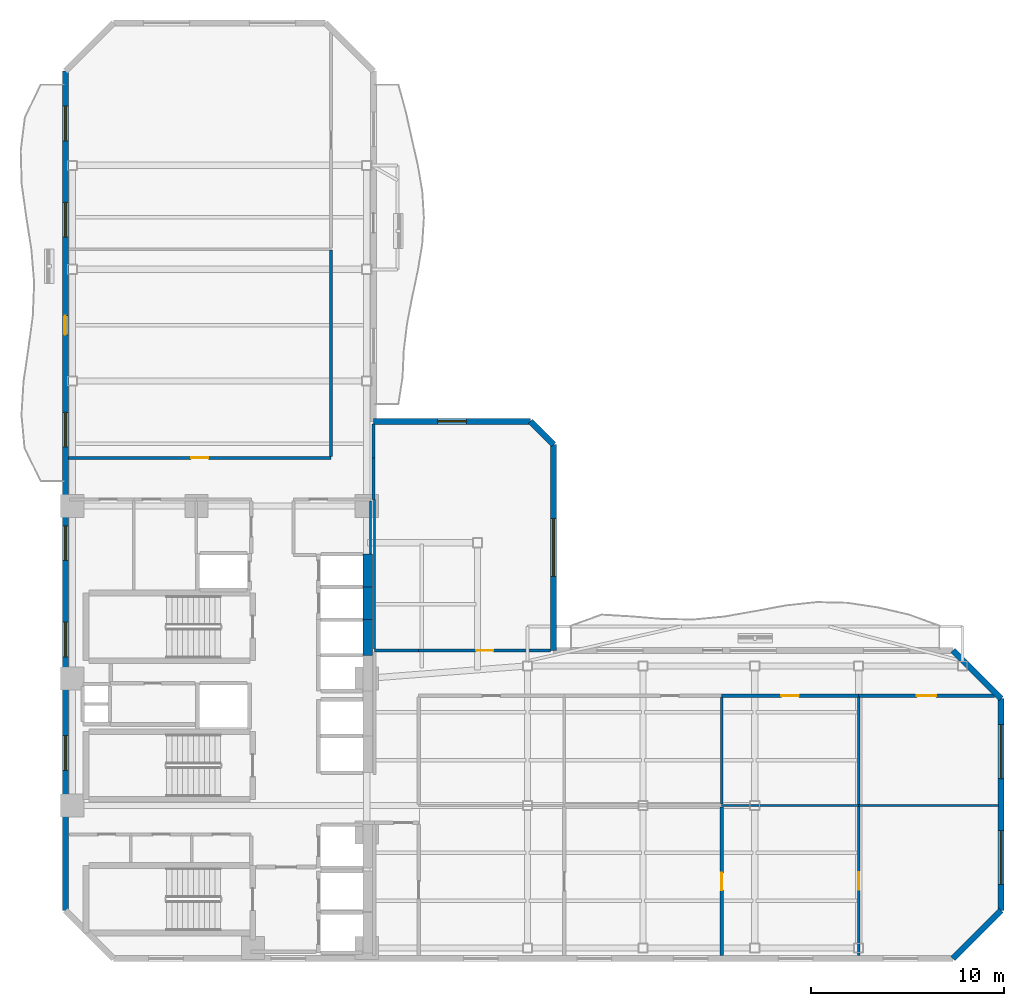
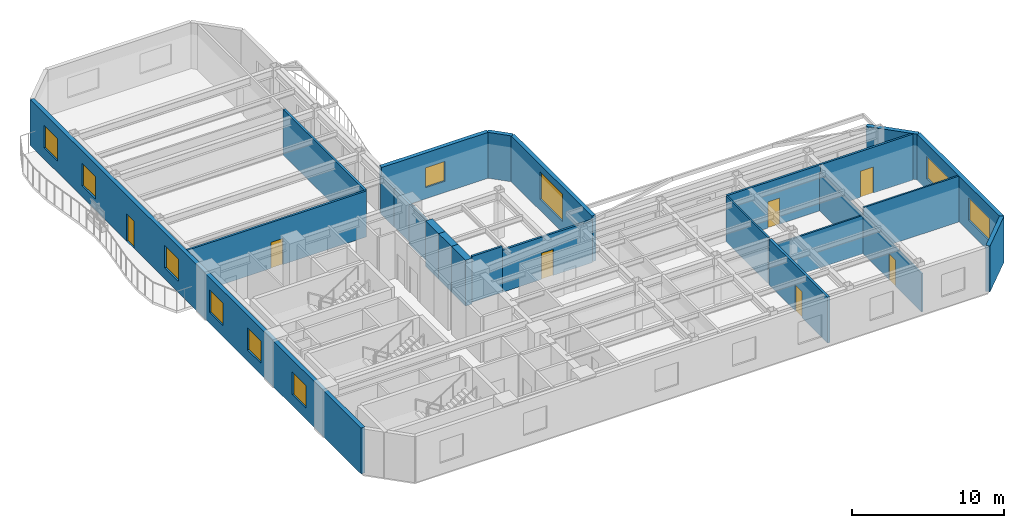
# One storey, part 5 of 9: 26 walls, 10 windows, 7 doors, 17 openings.
"""IFC4 building model written with IfcOpenShell, lengths in metres."""

from ifc_helpers import new_model, si_unit, direction, frame, frame_2d, origin, place, context, subcontext, project, spatial, rectangle, extrude, material, layer, layer_set, type_object, element, fill, save


model = new_model("IFC4")

# Units and contexts
model_context = context("Model", 3, precision=1e-05, world=origin(), true_north=direction((0.0, 1.0)))
body_context = subcontext(model_context, "Body", "Model", "MODEL_VIEW")
ifc_project = project(units=[si_unit("LENGTHUNIT", "METRE"), si_unit("AREAUNIT", "SQUARE_METRE"), si_unit("VOLUMEUNIT", "CUBIC_METRE"), si_unit("PLANEANGLEUNIT", "RADIAN"), si_unit("MASSUNIT", "GRAM", prefix="KILO")], contexts=[model_context])

# Site, building, storey
site_placement = place(None, origin())
site = spatial("IfcSite", under=ifc_project, at=site_placement, CompositionType="ELEMENT")
building_placement = place(site_placement, origin())
building = spatial("IfcBuilding", under=site, at=building_placement, Name="Mawjaban Terraces University", CompositionType="ELEMENT")
storey_placement = place(building_placement, frame((0.0, 0.0, 126.800048828125)))
storey = spatial("IfcBuildingStorey", under=building, at=storey_placement, Name="L30", CompositionType="ELEMENT", Elevation=126.800048828125)

# Wall, opening, door
ifc_material_1 = material(Name="Acoustic masonry blockwork", Category="masonry")
ifc_layer_1 = layer(ifc_material_1, 0.179931640625)
ifc_layer_set_1 = layer_set([ifc_layer_1], Name="Acoustic masonry blockwork")
wall_type_1 = type_object("IfcWallType", Name="AcousticStudioWall_180", PredefinedType="PARTITIONING", material=ifc_layer_set_1)
wall_1_placement = place(storey_placement, frame((56.080078125, 0.14501953125, 0.0), z_axis=(0.0, 0.0, 1.0), x_axis=(0.0, 1.0, 0.0)))
wall_1 = element("IfcWall", 1, at=wall_1_placement, inside=storey, type_object=wall_type_1, Name="L30 Media Workshop 4 Partition 46", PredefinedType="PARTITIONING", context=body_context, shape_type="SweptSolid", body=[
    extrude(rectangle(XDim=7.719970703125, YDim=0.179931640625, at=frame_2d((3.85986328125, 0.0))), origin(), (0.0, 0.0, 1.0), 3.68994140625),
])
opening_1_placement = place(wall_1_placement, frame((3.409912109375, 0.0, 0.0)))
opening_1 = element("IfcOpeningElement", 2, at=opening_1_placement, cuts=wall_1, Name="Opening ID-090", PredefinedType="OPENING", context=body_context, shape_type="SweptSolid", body=[
    extrude(rectangle(XDim=0.89990234375, YDim=2.10009765625, at=frame_2d((0.449951171875, 1.050048828125))), frame((0.0, 0.099853515625, 0.0), z_axis=(0.0, -1.0, 0.0), x_axis=(1.0, 0.0, 0.0)), (0.0, 0.0, 1.0), 0.199951171875),
])
ifc_material_2 = material(Name="Powder-coated steel frame and solid acoustic timber leaf", Category="steel")
door_type_1 = type_object("IfcDoorType", Name="OfficeDoor_900x2100", OperationType="NOTDEFINED", PredefinedType="DOOR", material=ifc_material_2)
door_1_placement = place(opening_1_placement, origin())
door_1 = element("IfcDoor", 3, at=door_1_placement, inside=storey, type_object=door_type_1, Name="L30 Reading Salon 6 Door", OperationType="SINGLE_SWING_RIGHT", OverallHeight=2.10009765625, OverallWidth=0.89990234375, PredefinedType="DOOR", context=body_context, shape_type="SweptSolid", body=[
    extrude(rectangle(XDim=0.89990234375, YDim=2.10009765625, at=frame_2d((0.449951171875, 1.050048828125))), frame((0.0, 0.02490234375, 0.0), z_axis=(0.0, -1.0, 0.0), x_axis=(1.0, 0.0, 0.0)), (0.0, 0.0, 1.0), 0.050048828125),
])
fill(opening_1, door_1)

# Walls
ifc_material_3 = material(Name="Concrete C60/75", Category="concrete")
ifc_layer_2 = layer(ifc_material_3, 0.5)
ifc_layer_set_2 = layer_set([ifc_layer_2], Name="Concrete C60/75")
wall_type_2 = type_object("IfcWallType", Name="CoreShearWall_500", PredefinedType="SHEAR", material=ifc_layer_set_2)
wall_2_placement = place(storey_placement, frame((37.699951171875, 15.75, 0.0), z_axis=(0.0, 0.0, 1.0), x_axis=(0.0, 1.0, 0.0)))
element("IfcWall", 4, at=wall_2_placement, inside=storey, type_object=wall_type_2, Name="L30 Lift OL-2 Hoistway Wall East", PredefinedType="SHEAR", context=body_context, shape_type="SweptSolid", body=[
    extrude(rectangle(XDim=1.85009765625, YDim=0.5, at=frame_2d((0.925048828125, 0.0))), origin(), (0.0, 0.0, 1.0), 3.68994140625),
])
for number, where, z_axis, x_axis, name in (
    (5, (37.699951171875, 17.60009765625, 0.0), (0.0, 0.0, 1.0), (0.0, 1.0, 0.0), "L30 Lift PL-M1 Hoistway Wall East"),
    (6, (37.699951171875, 19.300048828125, 0.0), (0.0, 0.0, 1.0), (0.0, 1.0, 0.0), "L30 Lift PL-M2 Hoistway Wall East"),
):
    element("IfcWall", number, at=place(storey_placement, frame(where, z_axis=z_axis, x_axis=x_axis)), inside=storey, type_object=wall_type_2, Name=name, PredefinedType="SHEAR", context=body_context, shape_type="SweptSolid", body=[
        extrude(rectangle(XDim=1.699951171875, YDim=0.5, at=frame_2d((0.85009765625, 0.0))), origin(), (0.0, 0.0, 1.0), 3.68994140625),
    ])

# Wall, opening, door
ifc_material_4 = material(Name="Fire-rated gypsum board on steel stud", Category="steel")
ifc_layer_3 = layer(ifc_material_4, 0.159912109375)
ifc_layer_set_3 = layer_set([ifc_layer_3], Name="Fire-rated gypsum board on steel stud")
wall_type_3 = type_object("IfcWallType", Name="CorridorPartition_160", PredefinedType="PARTITIONING", material=ifc_layer_set_3)
wall_3_placement = place(storey_placement, frame((35.800048828125, 26.0, 0.0), z_axis=(0.0, 0.0, 1.0), x_axis=(-1.0, 0.0, 0.0)))
wall_3 = element("IfcWall", 7, at=wall_3_placement, inside=storey, type_object=wall_type_3, Name="L30 North Core Cross-Corridor Partition 12", PredefinedType="PARTITIONING", context=body_context, shape_type="SweptSolid", body=[
    extrude(rectangle(XDim=13.655029296875, YDim=0.159912109375, at=frame_2d((6.82763671875, 0.0))), origin(), (0.0, 0.0, 1.0), 3.68994140625),
])
opening_2_placement = place(wall_3_placement, frame((6.376953125, 0.0, 0.0)))
opening_2 = element("IfcOpeningElement", 8, at=opening_2_placement, cuts=wall_3, Name="Opening ID-090", PredefinedType="OPENING", context=body_context, shape_type="SweptSolid", body=[
    extrude(rectangle(XDim=0.89990234375, YDim=2.10009765625, at=frame_2d((0.449951171875, 1.050048828125))), frame((0.0, 0.08984375, 0.0), z_axis=(0.0, -1.0, 0.0), x_axis=(1.0, 0.0, 0.0)), (0.0, 0.0, 1.0), 0.179931640625),
])
door_2_placement = place(opening_2_placement, origin())
door_2 = element("IfcDoor", 9, at=door_2_placement, inside=storey, type_object=door_type_1, Name="L30 Seminar Room 10 Door", OperationType="SINGLE_SWING_RIGHT", OverallHeight=2.10009765625, OverallWidth=0.89990234375, PredefinedType="DOOR", context=body_context, shape_type="SweptSolid", body=[
    extrude(rectangle(XDim=0.89990234375, YDim=2.10009765625, at=frame_2d((0.449951171875, 1.050048828125))), frame((0.0, 0.02490234375, 0.0), z_axis=(0.0, -1.0, 0.0), x_axis=(1.0, 0.0, 0.0)), (0.0, 0.0, 1.0), 0.050048828125),
])
fill(opening_2, door_2)

# Wall
wall_4_placement = place(storey_placement, frame((40.35009765625, 16.0, 0.0), z_axis=(0.0, 0.0, 1.0), x_axis=(-1.0, 0.0, 0.0)))
element("IfcWall", 10, at=wall_4_placement, inside=storey, type_object=wall_type_3, Name="L30 Inner Gallery Link Corridor Partition 17", PredefinedType="PARTITIONING", context=body_context, shape_type="SweptSolid", body=[
    extrude(rectangle(XDim=2.300048828125, YDim=0.159912109375, at=frame_2d((1.14990234375, 0.0))), origin(), (0.0, 0.0, 1.0), 3.68994140625),
])

# Wall, opening, door
wall_5_placement = place(storey_placement, frame((40.35009765625, 16.0, 0.0), z_axis=(0.0, 0.0, 1.0), x_axis=(1.0, 0.0, 0.0)))
wall_5 = element("IfcWall", 11, at=wall_5_placement, inside=storey, type_object=wall_type_3, Name="L30 Terrace Collaborative Study Room Partition 18", PredefinedType="PARTITIONING", context=body_context, shape_type="SweptSolid", body=[
    extrude(rectangle(XDim=6.85595703125, YDim=0.159912109375, at=frame_2d((3.427978515625, 0.0))), origin(), (0.0, 0.0, 1.0), 3.389892578125),
])
opening_3_placement = place(wall_5_placement, frame((2.97802734375, 0.0, 0.0)))
opening_3 = element("IfcOpeningElement", 12, at=opening_3_placement, cuts=wall_5, Name="Opening ID-090", PredefinedType="OPENING", context=body_context, shape_type="SweptSolid", body=[
    extrude(rectangle(XDim=0.89990234375, YDim=2.10009765625, at=frame_2d((0.449951171875, 1.050048828125))), frame((0.0, 0.08984375, 0.0), z_axis=(0.0, -1.0, 0.0), x_axis=(1.0, 0.0, 0.0)), (0.0, 0.0, 1.0), 0.179931640625),
])
door_3_placement = place(opening_3_placement, origin())
door_3 = element("IfcDoor", 13, at=door_3_placement, inside=storey, type_object=door_type_1, Name="L30 Terrace Collaborative Study Room Door", OperationType="SINGLE_SWING_RIGHT", OverallHeight=2.10009765625, OverallWidth=0.89990234375, PredefinedType="DOOR", context=body_context, shape_type="SweptSolid", body=[
    extrude(rectangle(XDim=0.89990234375, YDim=2.10009765625, at=frame_2d((0.449951171875, 1.050048828125))), frame((0.0, 0.02490234375, 0.0), z_axis=(0.0, -1.0, 0.0), x_axis=(1.0, 0.0, 0.0)), (0.0, 0.0, 1.0), 0.050048828125),
])
fill(opening_3, door_3)

wall_6_placement = place(storey_placement, frame((56.080078125, 13.64990234375, 0.0), z_axis=(0.0, 0.0, 1.0), x_axis=(1.0, 0.0, 0.0)))
wall_6 = element("IfcWall", 14, at=wall_6_placement, inside=storey, type_object=wall_type_3, Name="L30 Inner Terrace Gallery Corridor East Partition 22", PredefinedType="PARTITIONING", context=body_context, shape_type="SweptSolid", body=[
    extrude(rectangle(XDim=7.119873046875, YDim=0.159912109375, at=frame_2d((3.56005859375, 0.0))), origin(), (0.0, 0.0, 1.0), 3.68994140625),
])
opening_4_placement = place(wall_6_placement, frame((3.110107421875, 0.0, 0.0)))
opening_4 = element("IfcOpeningElement", 15, at=opening_4_placement, cuts=wall_6, Name="Opening ID-090", PredefinedType="OPENING", context=body_context, shape_type="SweptSolid", body=[
    extrude(rectangle(XDim=0.89990234375, YDim=2.10009765625, at=frame_2d((0.449951171875, 1.050048828125))), frame((0.0, 0.08984375, 0.0), z_axis=(0.0, -1.0, 0.0), x_axis=(1.0, 0.0, 0.0)), (0.0, 0.0, 1.0), 0.179931640625),
])
door_4_placement = place(opening_4_placement, origin())
door_4 = element("IfcDoor", 16, at=door_4_placement, inside=storey, type_object=door_type_1, Name="L30 Academic Counseling Room 7 Door", OperationType="SINGLE_SWING_LEFT", OverallHeight=2.10009765625, OverallWidth=0.89990234375, PredefinedType="DOOR", context=body_context, shape_type="SweptSolid", body=[
    extrude(rectangle(XDim=0.89990234375, YDim=2.10009765625, at=frame_2d((0.449951171875, 1.050048828125))), frame((0.0, 0.02490234375, 0.0), z_axis=(0.0, -1.0, 0.0), x_axis=(1.0, 0.0, 0.0)), (0.0, 0.0, 1.0), 0.050048828125),
])
fill(opening_4, door_4)

wall_7_placement = place(storey_placement, frame((63.199951171875, 13.64990234375, 0.0), z_axis=(0.0, 0.0, 1.0), x_axis=(1.0, 0.0, 0.0)))
wall_7 = element("IfcWall", 17, at=wall_7_placement, inside=storey, type_object=wall_type_3, Name="L30 Inner Terrace Gallery Corridor East Partition 24", PredefinedType="PARTITIONING", context=body_context, shape_type="SweptSolid", body=[
    extrude(rectangle(XDim=7.045166015625, YDim=0.159912109375, at=frame_2d((3.5224609375, 0.0))), origin(), (0.0, 0.0, 1.0), 3.68994140625),
])
opening_5_placement = place(wall_7_placement, frame((3.02294921875, 0.0, 0.0)))
opening_5 = element("IfcOpeningElement", 18, at=opening_5_placement, cuts=wall_7, Name="Opening ID-100", PredefinedType="OPENING", context=body_context, shape_type="SweptSolid", body=[
    extrude(rectangle(XDim=1.0, YDim=2.10009765625, at=frame_2d((0.5, 1.050048828125))), frame((0.0, 0.08984375, 0.0), z_axis=(0.0, -1.0, 0.0), x_axis=(1.0, 0.0, 0.0)), (0.0, 0.0, 1.0), 0.179931640625),
])
door_type_2 = type_object("IfcDoorType", Name="ClassroomDoor_1000x2100", OperationType="NOTDEFINED", PredefinedType="DOOR", material=ifc_material_2)
door_5_placement = place(opening_5_placement, origin())
door_5 = element("IfcDoor", 19, at=door_5_placement, inside=storey, type_object=door_type_2, Name="L30 Classroom 9 Door", OperationType="SINGLE_SWING_LEFT", OverallHeight=2.10009765625, OverallWidth=1.0, PredefinedType="DOOR", context=body_context, shape_type="SweptSolid", body=[
    extrude(rectangle(XDim=1.0, YDim=2.10009765625, at=frame_2d((0.5, 1.050048828125))), frame((0.0, 0.02490234375, 0.0), z_axis=(0.0, -1.0, 0.0), x_axis=(1.0, 0.0, 0.0)), (0.0, 0.0, 1.0), 0.050048828125),
])
fill(opening_5, door_5)

# Walls
wall_8_placement = place(storey_placement, frame((35.800048828125, 36.79296875, 0.0), z_axis=(0.0, 0.0, 1.0), x_axis=(0.0, -1.0, 0.0)))
element("IfcWall", 20, at=wall_8_placement, inside=storey, type_object=wall_type_3, Name="L30 Inner Terrace Gallery Corridor North Partition 34", PredefinedType="PARTITIONING", context=body_context, shape_type="SweptSolid", body=[
    extrude(rectangle(XDim=10.718017578125, YDim=0.159912109375, at=frame_2d((5.35888671875, 0.0))), origin(), (0.0, 0.0, 1.0), 3.68994140625),
])
wall_9_placement = place(storey_placement, frame((38.0, 23.85009765625, 0.0), z_axis=(0.0, 0.0, 1.0), x_axis=(0.0, 1.0, 0.0)))
element("IfcWall", 21, at=wall_9_placement, inside=storey, type_object=wall_type_3, Name="L30 North Core Cross-Corridor Partition 37", PredefinedType="PARTITIONING", context=body_context, shape_type="SweptSolid", body=[
    extrude(rectangle(XDim=2.14990234375, YDim=0.159912109375, at=frame_2d((1.074951171875, 0.0))), origin(), (0.0, 0.0, 1.0), 3.073974609375),
])
wall_10_placement = place(storey_placement, frame((38.0, 26.0, 0.0), z_axis=(0.0, 0.0, 1.0), x_axis=(0.0, 1.0, 0.0)))
element("IfcWall", 22, at=wall_10_placement, inside=storey, type_object=wall_type_3, Name="L30 Inner Terrace Gallery Corridor North Partition 38", PredefinedType="PARTITIONING", context=body_context, shape_type="SweptSolid", body=[
    extrude(rectangle(XDim=1.7548828125, YDim=0.159912109375, at=frame_2d((0.87744140625, 0.0))), origin(), (0.0, 0.0, 1.0), 3.073974609375),
])
ifc_material_5 = material(Name="Insulated terracotta rainscreen on concrete backup C40/50", Category="masonry")
ifc_layer_4 = layer(ifc_material_5, 0.300048828125)
ifc_layer_set_4 = layer_set([ifc_layer_4], Name="Insulated terracotta rainscreen on concrete backup C40/50")
wall_type_4 = type_object("IfcWallType", Name="ExtTerracottaWall_300", PredefinedType="SOLIDWALL", material=ifc_layer_set_4)
wall_11_placement = place(storey_placement, frame((68.10009765625, 0.0, 0.0), z_axis=(0.0, 0.0, 1.0), x_axis=(0.707106781187, 0.707106781187, 0.0)))
element("IfcWall", 23, at=wall_11_placement, inside=storey, type_object=wall_type_4, Name="L30 Exterior Terracotta Wall 2", PredefinedType="SOLIDWALL", context=body_context, shape_type="SweptSolid", body=[
    extrude(rectangle(XDim=3.53564453125, YDim=0.300048828125, at=frame_2d((1.767822265625, 0.0))), origin(), (0.0, 0.0, 1.0), 3.68994140625),
])

# Wall, openings, windows
wall_12_placement = place(storey_placement, frame((70.60009765625, 2.5, 0.0), z_axis=(0.0, 0.0, 1.0), x_axis=(0.0, 1.0, 0.0)))
wall_12 = element("IfcWall", 24, at=wall_12_placement, inside=storey, type_object=wall_type_4, Name="L30 Exterior Terracotta Wall 3", PredefinedType="SOLIDWALL", context=body_context, shape_type="SweptSolid", body=[
    extrude(rectangle(XDim=11.0, YDim=0.300048828125, at=frame_2d((5.5, 0.0))), origin(), (0.0, 0.0, 1.0), 3.68994140625),
])
opening_6_placement = place(wall_12_placement, frame((1.35009765625, 0.0, 0.89990234375)))
opening_6 = element("IfcOpeningElement", 25, at=opening_6_placement, cuts=wall_12, Name="Opening W-09", PredefinedType="OPENING", context=body_context, shape_type="SweptSolid", body=[
    extrude(rectangle(XDim=2.800048828125, YDim=1.800048828125, at=frame_2d((1.39990234375, 0.89990234375))), frame((0.0, 0.159912109375, 0.0), z_axis=(0.0, -1.0, 0.0), x_axis=(1.0, 0.0, 0.0)), (0.0, 0.0, 1.0), 0.320068359375),
])
opening_7_placement = place(wall_12_placement, frame((6.85009765625, 0.0, 0.89990234375)))
opening_7 = element("IfcOpeningElement", 26, at=opening_7_placement, cuts=wall_12, Name="Opening W-09", PredefinedType="OPENING", context=body_context, shape_type="SweptSolid", body=[
    extrude(rectangle(XDim=2.800048828125, YDim=1.800048828125, at=frame_2d((1.39990234375, 0.89990234375))), frame((0.0, 0.159912109375, 0.0), z_axis=(0.0, -1.0, 0.0), x_axis=(1.0, 0.0, 0.0)), (0.0, 0.0, 1.0), 0.320068359375),
])
ifc_material_6 = material(Name="Low-E solar-control double glazing in thermally broken aluminium frame", Category="aluminium")
window_type_1 = type_object("IfcWindowType", Name="Win_2800x1800", PartitioningType="SINGLE_PANEL", PredefinedType="WINDOW", material=ifc_material_6)
window_1_placement = place(opening_6_placement, origin())
window_1 = element("IfcWindow", 27, at=window_1_placement, inside=storey, type_object=window_type_1, Name="L30 Facade Window 3.1", OverallHeight=1.800048828125, OverallWidth=2.800048828125, PartitioningType="SINGLE_PANEL", PredefinedType="WINDOW", context=body_context, shape_type="SweptSolid", body=[
    extrude(rectangle(XDim=2.800048828125, YDim=1.800048828125, at=frame_2d((1.39990234375, 0.89990234375))), frame((0.0, 0.030029296875, 0.0), z_axis=(0.0, -1.0, 0.0), x_axis=(1.0, 0.0, 0.0)), (0.0, 0.0, 1.0), 0.06005859375),
])
fill(opening_6, window_1)
window_2_placement = place(opening_7_placement, origin())
window_2 = element("IfcWindow", 28, at=window_2_placement, inside=storey, type_object=window_type_1, Name="L30 Facade Window 3.2", OverallHeight=1.800048828125, OverallWidth=2.800048828125, PartitioningType="SINGLE_PANEL", PredefinedType="WINDOW", context=body_context, shape_type="SweptSolid", body=[
    extrude(rectangle(XDim=2.800048828125, YDim=1.800048828125, at=frame_2d((1.39990234375, 0.89990234375))), frame((0.0, 0.030029296875, 0.0), z_axis=(0.0, -1.0, 0.0), x_axis=(1.0, 0.0, 0.0)), (0.0, 0.0, 1.0), 0.06005859375),
])
fill(opening_7, window_2)

# Wall
wall_13_placement = place(storey_placement, frame((70.60009765625, 13.5, 0.0), z_axis=(0.0, 0.0, 1.0), x_axis=(-0.707106781187, 0.707106781187, 0.0)))
element("IfcWall", 29, at=wall_13_placement, inside=storey, type_object=wall_type_4, Name="L30 Exterior Terracotta Wall 4", PredefinedType="SOLIDWALL", context=body_context, shape_type="SweptSolid", body=[
    extrude(rectangle(XDim=3.53564453125, YDim=0.300048828125, at=frame_2d((1.767822265625, 0.0))), origin(), (0.0, 0.0, 1.0), 3.68994140625),
])

# Wall, opening, window
wall_14_placement = place(storey_placement, frame((47.35107421875, 16.0, 0.0), z_axis=(0.0, 0.0, 1.0), x_axis=(0.0, 1.0, 0.0)))
wall_14 = element("IfcWall", 30, at=wall_14_placement, inside=storey, type_object=wall_type_4, Name="L30 Exterior Terracotta Wall 6", PredefinedType="SOLIDWALL", context=body_context, shape_type="SweptSolid", body=[
    extrude(rectangle(XDim=10.699951171875, YDim=0.300048828125, at=frame_2d((5.35009765625, 0.0))), origin(), (0.0, 0.0, 1.0), 3.68994140625),
])
opening_8_placement = place(wall_14_placement, frame((3.85009765625, 0.0, 0.89990234375)))
opening_8 = element("IfcOpeningElement", 31, at=opening_8_placement, cuts=wall_14, Name="Opening W-12", PredefinedType="OPENING", context=body_context, shape_type="SweptSolid", body=[
    extrude(rectangle(XDim=3.0, YDim=2.199951171875, at=frame_2d((1.5, 1.10009765625))), frame((0.0, 0.159912109375, 0.0), z_axis=(0.0, -1.0, 0.0), x_axis=(1.0, 0.0, 0.0)), (0.0, 0.0, 1.0), 0.320068359375),
])
window_type_2 = type_object("IfcWindowType", Name="Win_3000x2200", PartitioningType="SINGLE_PANEL", PredefinedType="WINDOW", material=ifc_material_6)
window_3_placement = place(opening_8_placement, origin())
window_3 = element("IfcWindow", 32, at=window_3_placement, inside=storey, type_object=window_type_2, Name="L30 Facade Window 6.1", OverallHeight=2.199951171875, OverallWidth=3.0, PartitioningType="SINGLE_PANEL", PredefinedType="WINDOW", context=body_context, shape_type="SweptSolid", body=[
    extrude(rectangle(XDim=3.0, YDim=2.199951171875, at=frame_2d((1.5, 1.10009765625))), frame((0.0, 0.030029296875, 0.0), z_axis=(0.0, -1.0, 0.0), x_axis=(1.0, 0.0, 0.0)), (0.0, 0.0, 1.0), 0.06005859375),
])
fill(opening_8, window_3)

# Wall
wall_15_placement = place(storey_placement, frame((47.35107421875, 26.699951171875, 0.0), z_axis=(0.0, 0.0, 1.0), x_axis=(-0.707178703759, 0.707034851297, 0.0)))
element("IfcWall", 33, at=wall_15_placement, inside=storey, type_object=wall_type_4, Name="L30 Exterior Terracotta Wall 7", PredefinedType="SOLIDWALL", context=body_context, shape_type="SweptSolid", body=[
    extrude(rectangle(XDim=1.697265625, YDim=0.300048828125, at=frame_2d((0.8486328125, 0.0))), origin(), (0.0, 0.0, 1.0), 3.68994140625),
])

# Wall, opening, window
wall_16_placement = place(storey_placement, frame((46.15087890625, 27.89990234375, 0.0), z_axis=(0.0, 0.0, 1.0), x_axis=(-1.0, 0.0, 0.0)))
wall_16 = element("IfcWall", 34, at=wall_16_placement, inside=storey, type_object=wall_type_4, Name="L30 Exterior Terracotta Wall 8", PredefinedType="SOLIDWALL", context=body_context, shape_type="SweptSolid", body=[
    extrude(rectangle(XDim=8.15087890625, YDim=0.300048828125, at=frame_2d((4.075439453125, 0.0))), origin(), (0.0, 0.0, 1.0), 3.68994140625),
])
opening_9_placement = place(wall_16_placement, frame((3.325927734375, 0.0, 0.89990234375)))
opening_9 = element("IfcOpeningElement", 35, at=opening_9_placement, cuts=wall_16, Name="Opening W-02", PredefinedType="OPENING", context=body_context, shape_type="SweptSolid", body=[
    extrude(rectangle(XDim=1.5, YDim=1.60009765625, at=frame_2d((0.75, 0.800048828125))), frame((0.0, 0.159912109375, 0.0), z_axis=(0.0, -1.0, 0.0), x_axis=(1.0, 0.0, 0.0)), (0.0, 0.0, 1.0), 0.320068359375),
])
window_type_3 = type_object("IfcWindowType", Name="Win_1500x1600", PartitioningType="SINGLE_PANEL", PredefinedType="WINDOW", material=ifc_material_6)
window_4_placement = place(opening_9_placement, origin())
window_4 = element("IfcWindow", 36, at=window_4_placement, inside=storey, type_object=window_type_3, Name="L30 Facade Window 8.1", OverallHeight=1.60009765625, OverallWidth=1.5, PartitioningType="SINGLE_PANEL", PredefinedType="WINDOW", context=body_context, shape_type="SweptSolid", body=[
    extrude(rectangle(XDim=1.5, YDim=1.60009765625, at=frame_2d((0.75, 0.800048828125))), frame((0.0, 0.030029296875, 0.0), z_axis=(0.0, -1.0, 0.0), x_axis=(1.0, 0.0, 0.0)), (0.0, 0.0, 1.0), 0.06005859375),
])
fill(opening_9, window_4)

# Wall, openings, door, windows
wall_17_placement = place(storey_placement, frame((22.0, 46.10009765625, 0.0), z_axis=(0.0, 0.0, 1.0), x_axis=(0.0, -1.0, 0.0)))
wall_17 = element("IfcWall", 37, at=wall_17_placement, inside=storey, type_object=wall_type_4, Name="L30 Exterior Terracotta Wall 13", PredefinedType="SOLIDWALL", context=body_context, shape_type="SweptSolid", body=[
    extrude(rectangle(XDim=43.60009765625, YDim=0.300048828125, at=frame_2d((21.800048828125, 0.0))), origin(), (0.0, 0.0, 1.0), 3.68994140625),
])
opening_10_placement = place(wall_17_placement, frame((12.699951171875, 0.0, 0.0)))
opening_10 = element("IfcOpeningElement", 38, at=opening_10_placement, cuts=wall_17, Name="Opening BD-100", PredefinedType="OPENING", context=body_context, shape_type="SweptSolid", body=[
    extrude(rectangle(XDim=1.0, YDim=2.199951171875, at=frame_2d((0.5, 1.10009765625))), frame((0.0, 0.159912109375, 0.0), z_axis=(0.0, -1.0, 0.0), x_axis=(1.0, 0.0, 0.0)), (0.0, 0.0, 1.0), 0.320068359375),
])
opening_11_placement = place(wall_17_placement, frame((1.824951171875, 0.0, 0.89990234375)))
opening_11 = element("IfcOpeningElement", 39, at=opening_11_placement, cuts=wall_17, Name="Opening W-07", PredefinedType="OPENING", context=body_context, shape_type="SweptSolid", body=[
    extrude(rectangle(XDim=1.800048828125, YDim=1.800048828125, at=frame_2d((0.89990234375, 0.89990234375))), frame((0.0, 0.159912109375, 0.0), z_axis=(0.0, -1.0, 0.0), x_axis=(1.0, 0.0, 0.0)), (0.0, 0.0, 1.0), 0.320068359375),
])
opening_12_placement = place(wall_17_placement, frame((6.824951171875, 0.0, 0.89990234375)))
opening_12 = element("IfcOpeningElement", 40, at=opening_12_placement, cuts=wall_17, Name="Opening W-07", PredefinedType="OPENING", context=body_context, shape_type="SweptSolid", body=[
    extrude(rectangle(XDim=1.800048828125, YDim=1.800048828125, at=frame_2d((0.89990234375, 0.89990234375))), frame((0.0, 0.159912109375, 0.0), z_axis=(0.0, -1.0, 0.0), x_axis=(1.0, 0.0, 0.0)), (0.0, 0.0, 1.0), 0.320068359375),
])
opening_13_placement = place(wall_17_placement, frame((17.72509765625, 0.0, 0.89990234375)))
opening_13 = element("IfcOpeningElement", 41, at=opening_13_placement, cuts=wall_17, Name="Opening W-07", PredefinedType="OPENING", context=body_context, shape_type="SweptSolid", body=[
    extrude(rectangle(XDim=1.800048828125, YDim=1.800048828125, at=frame_2d((0.89990234375, 0.89990234375))), frame((0.0, 0.159912109375, 0.0), z_axis=(0.0, -1.0, 0.0), x_axis=(1.0, 0.0, 0.0)), (0.0, 0.0, 1.0), 0.320068359375),
])
opening_14_placement = place(wall_17_placement, frame((23.625, 0.0, 0.89990234375)))
opening_14 = element("IfcOpeningElement", 42, at=opening_14_placement, cuts=wall_17, Name="Opening W-07", PredefinedType="OPENING", context=body_context, shape_type="SweptSolid", body=[
    extrude(rectangle(XDim=1.800048828125, YDim=1.800048828125, at=frame_2d((0.89990234375, 0.89990234375))), frame((0.0, 0.159912109375, 0.0), z_axis=(0.0, -1.0, 0.0), x_axis=(1.0, 0.0, 0.0)), (0.0, 0.0, 1.0), 0.320068359375),
])
opening_15_placement = place(wall_17_placement, frame((28.625, 0.0, 0.89990234375)))
opening_15 = element("IfcOpeningElement", 43, at=opening_15_placement, cuts=wall_17, Name="Opening W-07", PredefinedType="OPENING", context=body_context, shape_type="SweptSolid", body=[
    extrude(rectangle(XDim=1.800048828125, YDim=1.800048828125, at=frame_2d((0.89990234375, 0.89990234375))), frame((0.0, 0.159912109375, 0.0), z_axis=(0.0, -1.0, 0.0), x_axis=(1.0, 0.0, 0.0)), (0.0, 0.0, 1.0), 0.320068359375),
])
opening_16_placement = place(wall_17_placement, frame((34.52490234375, 0.0, 0.89990234375)))
opening_16 = element("IfcOpeningElement", 44, at=opening_16_placement, cuts=wall_17, Name="Opening W-07", PredefinedType="OPENING", context=body_context, shape_type="SweptSolid", body=[
    extrude(rectangle(XDim=1.800048828125, YDim=1.800048828125, at=frame_2d((0.89990234375, 0.89990234375))), frame((0.0, 0.159912109375, 0.0), z_axis=(0.0, -1.0, 0.0), x_axis=(1.0, 0.0, 0.0)), (0.0, 0.0, 1.0), 0.320068359375),
])
ifc_material_7 = material(Name="Thermally broken anodised aluminium and laminated safety glass", Category="aluminium")
door_type_3 = type_object("IfcDoorType", Name="BalconyGlazedDoor_1000x2200", OperationType="NOTDEFINED", PredefinedType="DOOR", material=ifc_material_7)
door_6_placement = place(opening_10_placement, origin())
door_6 = element("IfcDoor", 45, at=door_6_placement, inside=storey, type_object=door_type_3, Name="L30 Balcony Access Door west", OperationType="SINGLE_SWING_LEFT", OverallHeight=2.199951171875, OverallWidth=1.0, PredefinedType="DOOR", context=body_context, shape_type="SweptSolid", body=[
    extrude(rectangle(XDim=1.0, YDim=2.199951171875, at=frame_2d((0.5, 1.10009765625))), frame((0.0, 0.02490234375, 0.0), z_axis=(0.0, -1.0, 0.0), x_axis=(1.0, 0.0, 0.0)), (0.0, 0.0, 1.0), 0.050048828125),
])
fill(opening_10, door_6)
window_type_4 = type_object("IfcWindowType", Name="Win_1800x1800", PartitioningType="SINGLE_PANEL", PredefinedType="WINDOW", material=ifc_material_6)
window_5_placement = place(opening_11_placement, origin())
window_5 = element("IfcWindow", 46, at=window_5_placement, inside=storey, type_object=window_type_4, Name="L30 Facade Window 13.1", OverallHeight=1.800048828125, OverallWidth=1.800048828125, PartitioningType="SINGLE_PANEL", PredefinedType="WINDOW", context=body_context, shape_type="SweptSolid", body=[
    extrude(rectangle(XDim=1.800048828125, YDim=1.800048828125, at=frame_2d((0.89990234375, 0.89990234375))), frame((0.0, 0.030029296875, 0.0), z_axis=(0.0, -1.0, 0.0), x_axis=(1.0, 0.0, 0.0)), (0.0, 0.0, 1.0), 0.06005859375),
])
fill(opening_11, window_5)
window_6_placement = place(opening_12_placement, origin())
window_6 = element("IfcWindow", 47, at=window_6_placement, inside=storey, type_object=window_type_4, Name="L30 Facade Window 13.2", OverallHeight=1.800048828125, OverallWidth=1.800048828125, PartitioningType="SINGLE_PANEL", PredefinedType="WINDOW", context=body_context, shape_type="SweptSolid", body=[
    extrude(rectangle(XDim=1.800048828125, YDim=1.800048828125, at=frame_2d((0.89990234375, 0.89990234375))), frame((0.0, 0.030029296875, 0.0), z_axis=(0.0, -1.0, 0.0), x_axis=(1.0, 0.0, 0.0)), (0.0, 0.0, 1.0), 0.06005859375),
])
fill(opening_12, window_6)
window_7_placement = place(opening_13_placement, origin())
window_7 = element("IfcWindow", 48, at=window_7_placement, inside=storey, type_object=window_type_4, Name="L30 Facade Window 13.4", OverallHeight=1.800048828125, OverallWidth=1.800048828125, PartitioningType="SINGLE_PANEL", PredefinedType="WINDOW", context=body_context, shape_type="SweptSolid", body=[
    extrude(rectangle(XDim=1.800048828125, YDim=1.800048828125, at=frame_2d((0.89990234375, 0.89990234375))), frame((0.0, 0.030029296875, 0.0), z_axis=(0.0, -1.0, 0.0), x_axis=(1.0, 0.0, 0.0)), (0.0, 0.0, 1.0), 0.06005859375),
])
fill(opening_13, window_7)
window_8_placement = place(opening_14_placement, origin())
window_8 = element("IfcWindow", 49, at=window_8_placement, inside=storey, type_object=window_type_4, Name="L30 Facade Window 13.5", OverallHeight=1.800048828125, OverallWidth=1.800048828125, PartitioningType="SINGLE_PANEL", PredefinedType="WINDOW", context=body_context, shape_type="SweptSolid", body=[
    extrude(rectangle(XDim=1.800048828125, YDim=1.800048828125, at=frame_2d((0.89990234375, 0.89990234375))), frame((0.0, 0.030029296875, 0.0), z_axis=(0.0, -1.0, 0.0), x_axis=(1.0, 0.0, 0.0)), (0.0, 0.0, 1.0), 0.06005859375),
])
fill(opening_14, window_8)
window_9_placement = place(opening_15_placement, origin())
window_9 = element("IfcWindow", 50, at=window_9_placement, inside=storey, type_object=window_type_4, Name="L30 Facade Window 13.6", OverallHeight=1.800048828125, OverallWidth=1.800048828125, PartitioningType="SINGLE_PANEL", PredefinedType="WINDOW", context=body_context, shape_type="SweptSolid", body=[
    extrude(rectangle(XDim=1.800048828125, YDim=1.800048828125, at=frame_2d((0.89990234375, 0.89990234375))), frame((0.0, 0.030029296875, 0.0), z_axis=(0.0, -1.0, 0.0), x_axis=(1.0, 0.0, 0.0)), (0.0, 0.0, 1.0), 0.06005859375),
])
fill(opening_15, window_9)
window_10_placement = place(opening_16_placement, origin())
window_10 = element("IfcWindow", 51, at=window_10_placement, inside=storey, type_object=window_type_4, Name="L30 Facade Window 13.7", OverallHeight=1.800048828125, OverallWidth=1.800048828125, PartitioningType="SINGLE_PANEL", PredefinedType="WINDOW", context=body_context, shape_type="SweptSolid", body=[
    extrude(rectangle(XDim=1.800048828125, YDim=1.800048828125, at=frame_2d((0.89990234375, 0.89990234375))), frame((0.0, 0.030029296875, 0.0), z_axis=(0.0, -1.0, 0.0), x_axis=(1.0, 0.0, 0.0)), (0.0, 0.0, 1.0), 0.06005859375),
])
fill(opening_16, window_10)

# Walls
ifc_material_8 = material(Name="Gypsum plasterboard on steel stud", Category="steel")
ifc_layer_5 = layer(ifc_material_8, 0.125)
ifc_layer_set_5 = layer_set([ifc_layer_5], Name="Gypsum plasterboard on steel stud")
wall_type_5 = type_object("IfcWallType", Name="OfficePartition_125", PredefinedType="PARTITIONING", material=ifc_layer_set_5)
wall_18_placement = place(storey_placement, frame((63.199951171875, 7.949951171875, 0.0), z_axis=(0.0, 0.0, 1.0), x_axis=(-1.0, 0.0, 0.0)))
element("IfcWall", 52, at=wall_18_placement, inside=storey, type_object=wall_type_5, Name="L30 Reading Salon 6 Partition 23", PredefinedType="PARTITIONING", context=body_context, shape_type="SweptSolid", body=[
    extrude(rectangle(XDim=7.119873046875, YDim=0.125, at=frame_2d((3.56005859375, 0.0))), origin(), (0.0, 0.0, 1.0), 3.073974609375),
])
wall_19_placement = place(storey_placement, frame((70.455078125, 7.949951171875, 0.0), z_axis=(0.0, 0.0, 1.0), x_axis=(-1.0, 0.0, 0.0)))
element("IfcWall", 53, at=wall_19_placement, inside=storey, type_object=wall_type_5, Name="L30 Academic Counseling Room 8 Partition 25", PredefinedType="PARTITIONING", context=body_context, shape_type="SweptSolid", body=[
    extrude(rectangle(XDim=7.255126953125, YDim=0.125, at=frame_2d((3.62744140625, 0.0))), origin(), (0.0, 0.0, 1.0), 3.68994140625),
])
wall_20_placement = place(storey_placement, frame((38.050048828125, 23.85009765625, 0.0), z_axis=(0.0, 0.0, 1.0), x_axis=(0.0, -1.0, 0.0)))
element("IfcWall", 54, at=wall_20_placement, inside=storey, type_object=wall_type_5, Name="L30 Terrace Collaborative Study Room Partition 41", PredefinedType="PARTITIONING", context=body_context, shape_type="SweptSolid", body=[
    extrude(rectangle(XDim=7.775146484375, YDim=0.125, at=frame_2d((3.8876953125, 0.0))), origin(), (0.0, 0.0, 1.0), 3.073974609375),
])
wall_21_placement = place(storey_placement, frame((56.080078125, 8.034912109375, 0.0), z_axis=(0.0, 0.0, 1.0), x_axis=(0.0, 1.0, 0.0)))
element("IfcWall", 55, at=wall_21_placement, inside=storey, type_object=wall_type_5, Name="L30 Quiet Reading Room 5 Partition 47", PredefinedType="PARTITIONING", context=body_context, shape_type="SweptSolid", body=[
    extrude(rectangle(XDim=5.5400390625, YDim=0.125, at=frame_2d((2.77001953125, 0.0))), origin(), (0.0, 0.0, 1.0), 3.68994140625),
])

# Wall, opening, door
wall_22_placement = place(storey_placement, frame((63.199951171875, 0.14501953125, 0.0), z_axis=(0.0, 0.0, 1.0), x_axis=(0.0, 1.0, 0.0)))
wall_22 = element("IfcWall", 56, at=wall_22_placement, inside=storey, type_object=wall_type_5, Name="L30 Reading Salon 6 Partition 48", PredefinedType="PARTITIONING", context=body_context, shape_type="SweptSolid", body=[
    extrude(rectangle(XDim=7.748046875, YDim=0.125, at=frame_2d((3.8740234375, 0.0))), origin(), (0.0, 0.0, 1.0), 3.073974609375),
])
opening_17_placement = place(wall_22_placement, frame((3.424072265625, 0.0, 0.0)))
opening_17 = element("IfcOpeningElement", 57, at=opening_17_placement, cuts=wall_22, Name="Opening ID-090", PredefinedType="OPENING", context=body_context, shape_type="SweptSolid", body=[
    extrude(rectangle(XDim=0.89990234375, YDim=2.10009765625, at=frame_2d((0.449951171875, 1.050048828125))), frame((0.0, 0.072509765625, 0.0), z_axis=(0.0, -1.0, 0.0), x_axis=(1.0, 0.0, 0.0)), (0.0, 0.0, 1.0), 0.14501953125),
])
door_7_placement = place(opening_17_placement, origin())
door_7 = element("IfcDoor", 58, at=door_7_placement, inside=storey, type_object=door_type_1, Name="L30 Academic Counseling Room 8 Door", OperationType="SINGLE_SWING_RIGHT", OverallHeight=2.10009765625, OverallWidth=0.89990234375, PredefinedType="DOOR", context=body_context, shape_type="SweptSolid", body=[
    extrude(rectangle(XDim=0.89990234375, YDim=2.10009765625, at=frame_2d((0.449951171875, 1.050048828125))), frame((0.0, 0.02490234375, 0.0), z_axis=(0.0, -1.0, 0.0), x_axis=(1.0, 0.0, 0.0)), (0.0, 0.0, 1.0), 0.050048828125),
])
fill(opening_17, door_7)

# Walls
wall_23_placement = place(storey_placement, frame((63.199951171875, 8.008056640625, 0.0), z_axis=(0.0, 0.0, 1.0), x_axis=(0.0, 1.0, 0.0)))
element("IfcWall", 59, at=wall_23_placement, inside=storey, type_object=wall_type_5, Name="L30 Academic Counseling Room 7 Partition 49", PredefinedType="PARTITIONING", context=body_context, shape_type="SweptSolid", body=[
    extrude(rectangle(XDim=5.56689453125, YDim=0.125, at=frame_2d((2.783447265625, 0.0))), origin(), (0.0, 0.0, 1.0), 3.073974609375),
])
ifc_material_9 = material(Name="Acoustic operable panel partition", Category="masonry")
ifc_layer_6 = layer(ifc_material_9, 0.110107421875)
ifc_layer_set_6 = layer_set([ifc_layer_6], Name="Acoustic operable panel partition")
wall_type_6 = type_object("IfcWallType", Name="OperableSeminarWall_110", PredefinedType="MOVABLE", material=ifc_layer_set_6)
wall_24_placement = place(storey_placement, frame((37.85009765625, 21.0, 0.0), z_axis=(0.0, 0.0, 1.0), x_axis=(0.0, 1.0, 0.0)))
element("IfcWall", 60, at=wall_24_placement, inside=storey, type_object=wall_type_6, Name="L30 Departmental Resource Seminar Room Partition 36", PredefinedType="MOVABLE", context=body_context, shape_type="SweptSolid", body=[
    extrude(rectangle(XDim=2.77490234375, YDim=0.110107421875, at=frame_2d((1.387451171875, 0.0))), origin(), (0.0, 0.0, 1.0), 3.073974609375),
])

save(model, "model.ifc")
